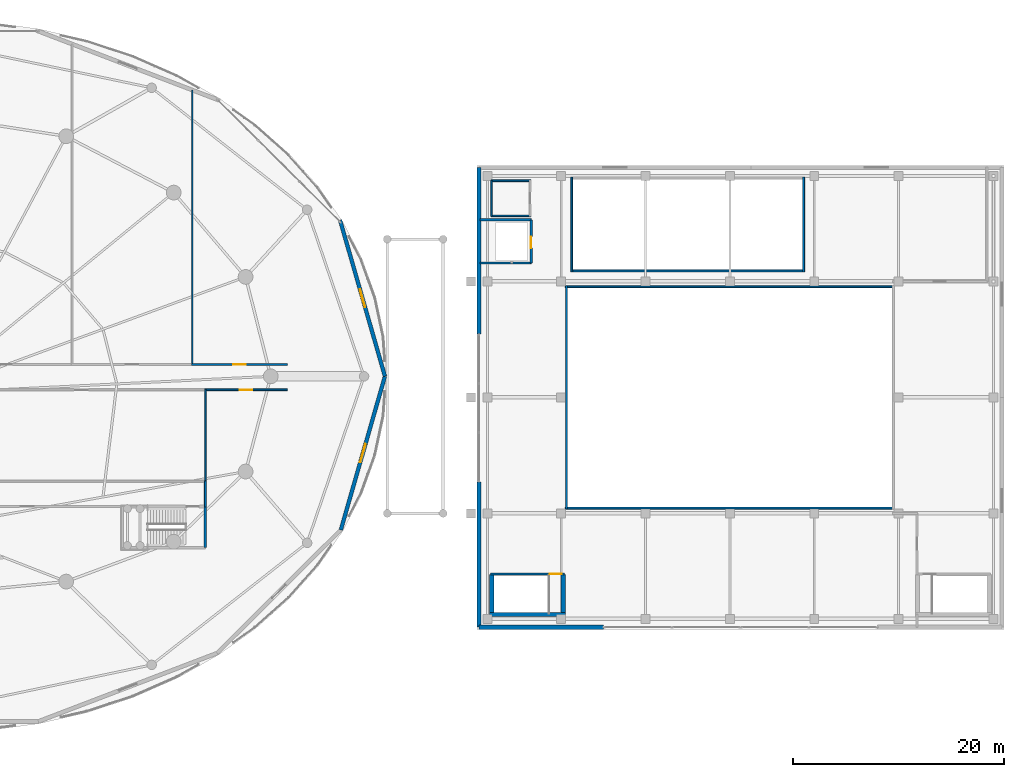
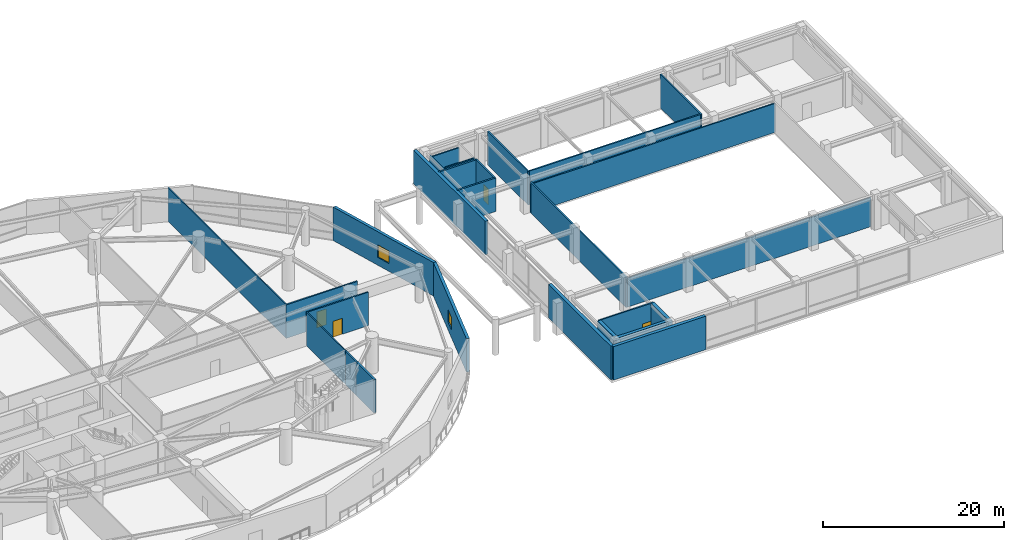
# One storey, part 30 of 36: 27 walls, 4 doors, 2 windows, 6 openings.
"""IFC4 building model written with IfcOpenShell, lengths in metres."""

from ifc_helpers import new_model, si_unit, direction, frame, frame_2d, origin, place, context, subcontext, project, spatial, rectangle, extrude, material, layer, layer_set, type_object, element, fill, save


model = new_model("IFC4")

# Units and contexts
model_context = context("Model", 3, precision=1e-05, world=origin(), true_north=direction((0.0, 1.0)))
body_context = subcontext(model_context, "Body", "Model", "MODEL_VIEW")
ifc_project = project(units=[si_unit("LENGTHUNIT", "METRE"), si_unit("AREAUNIT", "SQUARE_METRE"), si_unit("VOLUMEUNIT", "CUBIC_METRE"), si_unit("PLANEANGLEUNIT", "RADIAN"), si_unit("MASSUNIT", "GRAM", prefix="KILO")], contexts=[model_context])

# Site, building, storey
site_placement = place(None, origin())
site = spatial("IfcSite", under=ifc_project, at=site_placement, CompositionType="ELEMENT")
building_placement = place(site_placement, origin())
building = spatial("IfcBuilding", under=site, at=building_placement, Name="Kazevale Care Tower and Concert Hall", CompositionType="ELEMENT")
storey_placement = place(building_placement, frame((0.0, 0.0, 14.39990234375)))
storey = spatial("IfcBuildingStorey", under=building, at=storey_placement, Name="L03", CompositionType="ELEMENT", Elevation=14.39990234375)

# Walls
ifc_material_1 = material(Name="Acoustic Gypsum on Steel Stud", Category="steel")
ifc_layer_1 = layer(ifc_material_1, 0.139892578125)
ifc_layer_set_1 = layer_set([ifc_layer_1], Name="Acoustic Gypsum on Steel Stud")
wall_type_1 = type_object("IfcWallType", Name="Acoustic Care & Suite Partition 140", PredefinedType="PARTITIONING", material=ifc_layer_set_1)
wall_1_placement = place(storey_placement, frame((69.0, 65.14697265625, 0.0), z_axis=(0.0, 0.0, 1.0), x_axis=(0.0, -1.0, 0.0)))
element("IfcWall", 1, at=wall_1_placement, inside=storey, type_object=wall_type_1, Name="wall:L03:auto_021", PredefinedType="PARTITIONING", context=body_context, shape_type="SweptSolid", body=[
    extrude(rectangle(XDim=26.052001953125, YDim=0.139892578125, at=frame_2d((13.02587890625, 0.0))), origin(), (0.0, 0.0, 1.0), 4.52001953125),
])
wall_2_placement = place(storey_placement, frame((70.25, 36.7548828125, 0.0), z_axis=(0.0, 0.0, 1.0), x_axis=(0.0, -1.0, 0.0)))
element("IfcWall", 2, at=wall_2_placement, inside=storey, type_object=wall_type_1, Name="wall:L03:auto_023", PredefinedType="PARTITIONING", context=body_context, shape_type="SweptSolid", body=[
    extrude(rectangle(XDim=8.73486328125, YDim=0.139892578125, at=frame_2d((4.367431640625, 0.0))), origin(), (0.0, 0.0, 1.0), 4.52001953125),
])
ifc_material_2 = material(Name="Concrete C40 with Honed Limestone Cladding", Category="masonry")
ifc_layer_2 = layer(ifc_material_2, 0.39990234375)
ifc_layer_set_2 = layer_set([ifc_layer_2], Name="Concrete C40 with Honed Limestone Cladding")
wall_type_2 = type_object("IfcWallType", Name="Concert Hall Acoustic Limestone Wall 400", PredefinedType="STANDARD", material=ifc_layer_set_2)
wall_3_placement = place(storey_placement, frame((96.199951171875, 14.199951171875, 0.0), z_axis=(0.0, 0.0, 1.0), x_axis=(1.0, 0.0, 0.0)))
element("IfcWall", 3, at=wall_3_placement, inside=storey, type_object=wall_type_2, Name="wall:L03:hallew:S1", PredefinedType="STANDARD", context=body_context, shape_type="SweptSolid", body=[
    extrude(rectangle(XDim=11.800048828125, YDim=0.39990234375, at=frame_2d((5.89990234375, 0.0))), origin(), (0.0, 0.0, 1.0), 4.52001953125),
])
wall_4_placement = place(storey_placement, frame((96.199951171875, 57.800048828125, 0.0), z_axis=(0.0, 0.0, 1.0), x_axis=(0.0, -1.0, 0.0)))
element("IfcWall", 4, at=wall_4_placement, inside=storey, type_object=wall_type_2, Name="wall:L03:hallew:W1", PredefinedType="STANDARD", context=body_context, shape_type="SweptSolid", body=[
    extrude(rectangle(XDim=15.800048828125, YDim=0.39990234375, at=frame_2d((7.89990234375, 0.0))), origin(), (0.0, 0.0, 1.0), 4.52001953125),
])
wall_5_placement = place(storey_placement, frame((96.199951171875, 28.0, 0.0), z_axis=(0.0, 0.0, 1.0), x_axis=(0.0, -1.0, 0.0)))
element("IfcWall", 5, at=wall_5_placement, inside=storey, type_object=wall_type_2, Name="wall:L03:hallew:W3", PredefinedType="STANDARD", context=body_context, shape_type="SweptSolid", body=[
    extrude(rectangle(XDim=13.800048828125, YDim=0.39990234375, at=frame_2d((6.89990234375, 0.0))), origin(), (0.0, 0.0, 1.0), 4.52001953125),
])
ifc_material_3 = material(Name="Concrete C50", Category="concrete")
ifc_layer_3 = layer(ifc_material_3, 0.39990234375)
ifc_layer_set_3 = layer_set([ifc_layer_3], Name="Concrete C50")
wall_type_3 = type_object("IfcWallType", Name="Concert Hall Shear Core Wall 400 C50", PredefinedType="SHEAR", material=ifc_layer_set_3)
wall_6_placement = place(storey_placement, frame((97.199951171875, 15.39990234375, 0.0), z_axis=(0.0, 0.0, 1.0), x_axis=(1.0, 0.0, 0.0)))
element("IfcWall", 6, at=wall_6_placement, inside=storey, type_object=wall_type_3, Name="wall:L03:ST4:S", PredefinedType="SHEAR", context=body_context, shape_type="SweptSolid", body=[
    extrude(rectangle(XDim=7.199951171875, YDim=0.39990234375, at=frame_2d((3.60009765625, 0.0))), origin(), (0.0, 0.0, 1.0), 4.52001953125),
])
for number, where, z_axis, x_axis, name in (
    (7, (97.39990234375, 15.60009765625, 0.0), (0.0, 0.0, 1.0), (0.0, 1.0, 0.0), "wall:L03:ST4:W"),
    (8, (104.199951171875, 15.60009765625, 0.0), (0.0, 0.0, 1.0), (0.0, 1.0, 0.0), "wall:L03:ST4:E"),
):
    element("IfcWall", number, at=place(storey_placement, frame(where, z_axis=z_axis, x_axis=x_axis)), inside=storey, type_object=wall_type_3, Name=name, PredefinedType="SHEAR", context=body_context, shape_type="SweptSolid", body=[
        extrude(rectangle(XDim=3.599853515625, YDim=0.39990234375, at=frame_2d((1.7998046875, 0.0))), origin(), (0.0, 0.0, 1.0), 4.52001953125),
    ])
ifc_material_4 = material(Name="Concrete C40", Category="concrete")
ifc_layer_4 = layer(ifc_material_4, 0.219970703125)
ifc_layer_set_4 = layer_set([ifc_layer_4], Name="Concrete C40")
wall_type_4 = type_object("IfcWallType", Name="Elevator Hoistway Shaft Wall 220", PredefinedType="SOLIDWALL", material=ifc_layer_set_4)
for number, where, z_axis, x_axis, name in (
    (9, (96.300048828125, 52.85009765625, 0.0), (0.0, 0.0, 1.0), (1.0, 0.0, 0.0), "wall:L03:hall_chl_n"),
    (10, (96.300048828125, 48.75, 0.0), (0.0, 0.0, 1.0), (1.0, 0.0, 0.0), "wall:L03:hall_chl_s"),
):
    element("IfcWall", number, at=place(storey_placement, frame(where, z_axis=z_axis, x_axis=x_axis)), inside=storey, type_object=wall_type_4, Name=name, PredefinedType="SOLIDWALL", context=body_context, shape_type="SweptSolid", body=[
        extrude(rectangle(XDim=4.89990234375, YDim=0.219970703125, at=frame_2d((2.449951171875, 0.0))), origin(), (0.0, 0.0, 1.0), 4.52001953125),
    ])

# Wall, opening, door
wall_7_placement = place(storey_placement, frame((101.14990234375, 48.75, 0.0), z_axis=(0.0, 0.0, 1.0), x_axis=(0.0, 1.0, 0.0)))
wall_7 = element("IfcWall", 11, at=wall_7_placement, inside=storey, type_object=wall_type_4, Name="wall:L03:hall_chl_e", PredefinedType="SOLIDWALL", context=body_context, shape_type="SweptSolid", body=[
    extrude(rectangle(XDim=4.10009765625, YDim=0.219970703125, at=frame_2d((2.050048828125, 0.0))), origin(), (0.0, 0.0, 1.0), 4.52001953125),
])
opening_1_placement = place(wall_7_placement, frame((1.39990234375, 0.0, 0.0)))
opening_1 = element("IfcOpeningElement", 12, at=opening_1_placement, cuts=wall_7, Name="Opening LD-PAX", PredefinedType="OPENING", context=body_context, shape_type="SweptSolid", body=[
    extrude(rectangle(XDim=1.10009765625, YDim=2.10009765625, at=frame_2d((0.550048828125, 1.050048828125))), frame((0.0, 0.119873046875, 0.0), z_axis=(0.0, -1.0, 0.0), x_axis=(1.0, 0.0, 0.0)), (0.0, 0.0, 1.0), 0.239990234375),
])
ifc_material_5 = material(Name="Stainless Steel 316", Category="steel")
door_type_1 = type_object("IfcDoorType", Name="Passenger Lift Sliding Landing Door 1100x2100", OperationType="NOTDEFINED", PredefinedType="DOOR", material=ifc_material_5)
door_1_placement = place(opening_1_placement, origin())
door_1 = element("IfcDoor", 13, at=door_1_placement, inside=storey, type_object=door_type_1, Name="door:L03:ld_chl1", OperationType="SLIDING_TO_LEFT", OverallHeight=2.10009765625, OverallWidth=1.10009765625, PredefinedType="DOOR", context=body_context, shape_type="SweptSolid", body=[
    extrude(rectangle(XDim=1.10009765625, YDim=2.10009765625, at=frame_2d((0.550048828125, 1.050048828125))), frame((0.0, 0.02490234375, 0.0), z_axis=(0.0, -1.0, 0.0), x_axis=(1.0, 0.0, 0.0)), (0.0, 0.0, 1.0), 0.050048828125),
])
fill(opening_1, door_1)

ifc_material_6 = material(Name="Concrete C40 and Acoustic Gypsum", Category="concrete")
ifc_layer_5 = layer(ifc_material_6, 0.179931640625)
ifc_layer_set_5 = layer_set([ifc_layer_5], Name="Concrete C40 and Acoustic Gypsum")
wall_type_5 = type_object("IfcWallType", Name="Fire-Rated Corridor & Party Wall 180", PredefinedType="PARTITIONING", material=ifc_layer_set_5)
wall_8_placement = place(storey_placement, frame((68.93505859375, 39.125, 0.0), z_axis=(0.0, 0.0, 1.0), x_axis=(1.0, 0.0, 0.0)))
wall_8 = element("IfcWall", 14, at=wall_8_placement, inside=storey, type_object=wall_type_5, Name="wall:L03:auto_006", PredefinedType="PARTITIONING", context=body_context, shape_type="SweptSolid", body=[
    extrude(rectangle(XDim=9.094970703125, YDim=0.179931640625, at=frame_2d((4.54736328125, 0.0))), origin(), (0.0, 0.0, 1.0), 4.52001953125),
])
opening_2_placement = place(wall_8_placement, frame((3.947998046875, 0.0, 0.0)))
opening_2 = element("IfcOpeningElement", 15, at=opening_2_placement, cuts=wall_8, Name="Opening ID-1200", PredefinedType="OPENING", context=body_context, shape_type="SweptSolid", body=[
    extrude(rectangle(XDim=1.199951171875, YDim=2.14990234375, at=frame_2d((0.60009765625, 1.074951171875))), frame((0.0, 0.099853515625, 0.0), z_axis=(0.0, -1.0, 0.0), x_axis=(1.0, 0.0, 0.0)), (0.0, 0.0, 1.0), 0.199951171875),
])
ifc_material_7 = material(Name="Oak Timber Fire Leaf", Category="wood")
door_type_2 = type_object("IfcDoorType", Name="Clinical & Therapy Door 1200x2150", OperationType="NOTDEFINED", PredefinedType="DOOR", material=ifc_material_7)
door_2_placement = place(opening_2_placement, origin())
door_2 = element("IfcDoor", 16, at=door_2_placement, inside=storey, type_object=door_type_2, Name="door:L03:ad_006", OperationType="SINGLE_SWING_LEFT", OverallHeight=2.14990234375, OverallWidth=1.199951171875, PredefinedType="DOOR", context=body_context, shape_type="SweptSolid", body=[
    extrude(rectangle(XDim=1.199951171875, YDim=2.14990234375, at=frame_2d((0.60009765625, 1.074951171875))), frame((0.0, 0.02490234375, 0.0), z_axis=(0.0, -1.0, 0.0), x_axis=(1.0, 0.0, 0.0)), (0.0, 0.0, 1.0), 0.050048828125),
])
fill(opening_2, door_2)

wall_9_placement = place(storey_placement, frame((78.030029296875, 36.72509765625, 0.0), z_axis=(0.0, 0.0, 1.0), x_axis=(-1.0, 0.0, 0.0)))
wall_9 = element("IfcWall", 17, at=wall_9_placement, inside=storey, type_object=wall_type_5, Name="wall:L03:auto_011", PredefinedType="PARTITIONING", context=body_context, shape_type="SweptSolid", body=[
    extrude(rectangle(XDim=7.844970703125, YDim=0.179931640625, at=frame_2d((3.92236328125, 0.0))), origin(), (0.0, 0.0, 1.0), 4.52001953125),
])
opening_3_placement = place(wall_9_placement, frame((3.322021484375, 0.0, 0.0)))
opening_3 = element("IfcOpeningElement", 18, at=opening_3_placement, cuts=wall_9, Name="Opening ID-1200", PredefinedType="OPENING", context=body_context, shape_type="SweptSolid", body=[
    extrude(rectangle(XDim=1.199951171875, YDim=2.14990234375, at=frame_2d((0.60009765625, 1.074951171875))), frame((0.0, 0.099853515625, 0.0), z_axis=(0.0, -1.0, 0.0), x_axis=(1.0, 0.0, 0.0)), (0.0, 0.0, 1.0), 0.199951171875),
])
door_3_placement = place(opening_3_placement, origin())
door_3 = element("IfcDoor", 19, at=door_3_placement, inside=storey, type_object=door_type_2, Name="door:L03:ad_011", OperationType="SINGLE_SWING_LEFT", OverallHeight=2.14990234375, OverallWidth=1.199951171875, PredefinedType="DOOR", context=body_context, shape_type="SweptSolid", body=[
    extrude(rectangle(XDim=1.199951171875, YDim=2.14990234375, at=frame_2d((0.60009765625, 1.074951171875))), frame((0.0, 0.02490234375, 0.0), z_axis=(0.0, -1.0, 0.0), x_axis=(1.0, 0.0, 0.0)), (0.0, 0.0, 1.0), 0.050048828125),
])
fill(opening_3, door_3)

# Wall
wall_10_placement = place(storey_placement, frame((70.25, 28.080078125, 0.0), z_axis=(0.0, 0.0, 1.0), x_axis=(0.0, -1.0, 0.0)))
element("IfcWall", 20, at=wall_10_placement, inside=storey, type_object=wall_type_5, Name="wall:L03:auto_012", PredefinedType="PARTITIONING", context=body_context, shape_type="SweptSolid", body=[
    extrude(rectangle(XDim=2.4599609375, YDim=0.179931640625, at=frame_2d((1.22998046875, 0.0))), origin(), (0.0, 0.0, 1.0), 4.52001953125),
])

# Wall, opening, door
wall_11_placement = place(storey_placement, frame((97.300048828125, 19.25, 0.0), z_axis=(0.0, 0.0, 1.0), x_axis=(1.0, 0.0, 0.0)))
wall_11 = element("IfcWall", 21, at=wall_11_placement, inside=storey, type_object=wall_type_5, Name="wall:L03:hall_st4_n", PredefinedType="PARTITIONING", context=body_context, shape_type="SweptSolid", body=[
    extrude(rectangle(XDim=7.0, YDim=0.179931640625, at=frame_2d((3.5, 0.0))), origin(), (0.0, 0.0, 1.0), 4.52001953125),
])
opening_4_placement = place(wall_11_placement, frame((5.610107421875, 0.0, 0.0)))
opening_4 = element("IfcOpeningElement", 22, at=opening_4_placement, cuts=wall_11, Name="Opening FD-90", PredefinedType="OPENING", context=body_context, shape_type="SweptSolid", body=[
    extrude(rectangle(XDim=1.14990234375, YDim=2.10009765625, at=frame_2d((0.574951171875, 1.050048828125))), frame((0.0, 0.099853515625, 0.0), z_axis=(0.0, -1.0, 0.0), x_axis=(1.0, 0.0, 0.0)), (0.0, 0.0, 1.0), 0.199951171875),
])
ifc_material_8 = material(Name="Steel ASTM A572 Gr 50", Category="steel")
door_type_3 = type_object("IfcDoorType", Name="Pressurized Stair & Lobby Fire Door 1150x2100", OperationType="NOTDEFINED", PredefinedType="DOOR", material=ifc_material_8)
door_4_placement = place(opening_4_placement, origin())
door_4 = element("IfcDoor", 23, at=door_4_placement, inside=storey, type_object=door_type_3, Name="door:L03:hst4", OperationType="SINGLE_SWING_RIGHT", OverallHeight=2.10009765625, OverallWidth=1.14990234375, PredefinedType="DOOR", context=body_context, shape_type="SweptSolid", body=[
    extrude(rectangle(XDim=1.14990234375, YDim=2.10009765625, at=frame_2d((0.574951171875, 1.050048828125))), frame((0.0, 0.02490234375, 0.0), z_axis=(0.0, -1.0, 0.0), x_axis=(1.0, 0.0, 0.0)), (0.0, 0.0, 1.0), 0.050048828125),
])
fill(opening_4, door_4)

# Walls
for number, where, z_axis, x_axis, name in (
    (24, (104.39990234375, 25.5, 0.0), (0.0, 0.0, 1.0), (1.0, 0.0, 0.0), "wall:L03:hvoid_s"),
    (25, (104.39990234375, 46.5, 0.0), (0.0, 0.0, 1.0), (1.0, 0.0, 0.0), "wall:L03:hvoid_n"),
):
    element("IfcWall", number, at=place(storey_placement, frame(where, z_axis=z_axis, x_axis=x_axis)), inside=storey, type_object=wall_type_5, Name=name, PredefinedType="PARTITIONING", context=body_context, shape_type="SweptSolid", body=[
        extrude(rectangle(XDim=31.2001953125, YDim=0.179931640625, at=frame_2d((15.60009765625, 0.0))), origin(), (0.0, 0.0, 1.0), 3.899169921875),
    ])
wall_12_placement = place(storey_placement, frame((104.5, 25.39990234375, 0.0), z_axis=(0.0, 0.0, 1.0), x_axis=(0.0, 1.0, 0.0)))
element("IfcWall", 26, at=wall_12_placement, inside=storey, type_object=wall_type_5, Name="wall:L03:hvoid_w", PredefinedType="PARTITIONING", context=body_context, shape_type="SweptSolid", body=[
    extrude(rectangle(XDim=21.2001953125, YDim=0.179931640625, at=frame_2d((10.60009765625, 0.0))), origin(), (0.0, 0.0, 1.0), 4.093017578125),
])
wall_13_placement = place(storey_placement, frame((104.89990234375, 48.0, 0.0), z_axis=(0.0, 0.0, 1.0), x_axis=(1.0, 0.0, 0.0)))
element("IfcWall", 27, at=wall_13_placement, inside=storey, type_object=wall_type_5, Name="wall:L03:cvoid_s", PredefinedType="PARTITIONING", context=body_context, shape_type="SweptSolid", body=[
    extrude(rectangle(XDim=22.2001953125, YDim=0.179931640625, at=frame_2d((11.10009765625, 0.0))), origin(), (0.0, 0.0, 1.0), 4.52001953125),
])
for number, where, z_axis, x_axis, name in (
    (28, (105.0, 47.89990234375, 0.0), (0.0, 0.0, 1.0), (0.0, 1.0, 0.0), "wall:L03:cvoid_w"),
    (29, (127.0, 47.89990234375, 0.0), (0.0, 0.0, 1.0), (0.0, 1.0, 0.0), "wall:L03:cvoid_e"),
):
    element("IfcWall", number, at=place(storey_placement, frame(where, z_axis=z_axis, x_axis=x_axis)), inside=storey, type_object=wall_type_5, Name=name, PredefinedType="PARTITIONING", context=body_context, shape_type="SweptSolid", body=[
        extrude(rectangle(XDim=9.0, YDim=0.179931640625, at=frame_2d((4.5, 0.0))), origin(), (0.0, 0.0, 1.0), 4.52001953125),
    ])
ifc_layer_6 = layer(ifc_material_1, 0.159912109375)
ifc_layer_set_6 = layer_set([ifc_layer_6], Name="Acoustic Gypsum on Steel Stud")
wall_type_6 = type_object("IfcWallType", Name="Moisture-Resistant Bathroom Plumbing Wall 160", PredefinedType="PLUMBINGWALL", material=ifc_layer_set_6)
wall_14_placement = place(storey_placement, frame((97.360107421875, 53.219970703125, 0.0), z_axis=(0.0, 0.0, 1.0), x_axis=(1.0, 0.0, 0.0)))
element("IfcWall", 30, at=wall_14_placement, inside=storey, type_object=wall_type_6, Name="wall:L03:hall_wc_ws", PredefinedType="PLUMBINGWALL", context=body_context, shape_type="SweptSolid", body=[
    extrude(rectangle(XDim=3.72998046875, YDim=0.159912109375, at=frame_2d((1.864990234375, 0.0))), origin(), (0.0, 0.0, 1.0), 4.52001953125),
])
wall_15_placement = place(storey_placement, frame((97.360107421875, 56.550048828125, 0.0), z_axis=(0.0, 0.0, 1.0), x_axis=(1.0, 0.0, 0.0)))
element("IfcWall", 31, at=wall_15_placement, inside=storey, type_object=wall_type_6, Name="wall:L03:hall_wc_wn", PredefinedType="PLUMBINGWALL", context=body_context, shape_type="SweptSolid", body=[
    extrude(rectangle(XDim=3.72998046875, YDim=0.159912109375, at=frame_2d((1.864990234375, 0.0))), origin(), (0.0, 0.0, 1.0), 3.899169921875),
])
wall_16_placement = place(storey_placement, frame((97.39990234375, 53.179931640625, 0.0), z_axis=(0.0, 0.0, 1.0), x_axis=(0.0, 1.0, 0.0)))
element("IfcWall", 32, at=wall_16_placement, inside=storey, type_object=wall_type_6, Name="wall:L03:hall_wc_ww", PredefinedType="PLUMBINGWALL", context=body_context, shape_type="SweptSolid", body=[
    extrude(rectangle(XDim=3.41015625, YDim=0.159912109375, at=frame_2d((1.705078125, 0.0))), origin(), (0.0, 0.0, 1.0), 4.093017578125),
])

# Wall, opening, window
ifc_layer_7 = layer(ifc_material_2, 0.360107421875)
ifc_layer_set_7 = layer_set([ifc_layer_7], Name="Concrete C40 with Honed Limestone Cladding")
wall_type_7 = type_object("IfcWallType", Name="Podium Insulated Limestone Wall 360", PredefinedType="STANDARD", material=ifc_layer_set_7)
wall_17_placement = place(storey_placement, frame((87.280029296875, 38.0, 0.0), z_axis=(0.0, 0.0, 1.0), x_axis=(-0.276203409751, 0.961099202186, 0.0)))
wall_17 = element("IfcWall", 33, at=wall_17_placement, inside=storey, type_object=wall_type_7, Name="wall:L03:podew:01", PredefinedType="STANDARD", context=body_context, shape_type="SweptSolid", body=[
    extrude(rectangle(XDim=15.419921875, YDim=0.360107421875, at=frame_2d((7.7099609375, 0.0))), origin(), (0.0, 0.0, 1.0), 4.52001953125),
])
opening_5_placement = place(wall_17_placement, frame((6.81005859375, 0.0, 1.050048828125)))
opening_5 = element("IfcOpeningElement", 34, at=opening_5_placement, cuts=wall_17, Name="Opening WIN-2", PredefinedType="OPENING", context=body_context, shape_type="SweptSolid", body=[
    extrude(rectangle(XDim=1.800048828125, YDim=1.699951171875, at=frame_2d((0.89990234375, 0.85009765625))), frame((0.0, 0.18994140625, 0.0), z_axis=(0.0, -1.0, 0.0), x_axis=(1.0, 0.0, 0.0)), (0.0, 0.0, 1.0), 0.380126953125),
])
ifc_material_9 = material(Name="Low-E Laminated Glass", Category="glass")
window_type = type_object("IfcWindowType", Name="Clinical Punched Window 1800x1700", PartitioningType="DOUBLE_PANEL_VERTICAL", PredefinedType="WINDOW", material=ifc_material_9)
window_1_placement = place(opening_5_placement, origin())
window_1 = element("IfcWindow", 35, at=window_1_placement, inside=storey, type_object=window_type, Name="win:L03:pod:01", OverallHeight=1.699951171875, OverallWidth=1.800048828125, PartitioningType="SINGLE_PANEL", PredefinedType="WINDOW", context=body_context, shape_type="SweptSolid", body=[
    extrude(rectangle(XDim=1.800048828125, YDim=1.699951171875, at=frame_2d((0.89990234375, 0.85009765625))), frame((0.0, 0.030029296875, 0.0), z_axis=(0.0, -1.0, 0.0), x_axis=(1.0, 0.0, 0.0)), (0.0, 0.0, 1.0), 0.06005859375),
])
fill(opening_5, window_1)

wall_18_placement = place(storey_placement, frame((83.093017578125, 23.429931640625, 0.0), z_axis=(0.0, 0.0, 1.0), x_axis=(0.276192699339, 0.961102280109, 0.0)))
wall_18 = element("IfcWall", 36, at=wall_18_placement, inside=storey, type_object=wall_type_7, Name="wall:L03:podew:14", PredefinedType="STANDARD", context=body_context, shape_type="SweptSolid", body=[
    extrude(rectangle(XDim=15.15966796875, YDim=0.360107421875, at=frame_2d((7.579833984375, 0.0))), origin(), (0.0, 0.0, 1.0), 4.52001953125),
])
opening_6_placement = place(wall_18_placement, frame((6.679931640625, 0.0, 1.050048828125)))
opening_6 = element("IfcOpeningElement", 37, at=opening_6_placement, cuts=wall_18, Name="Opening WIN-2", PredefinedType="OPENING", context=body_context, shape_type="SweptSolid", body=[
    extrude(rectangle(XDim=1.800048828125, YDim=1.699951171875, at=frame_2d((0.89990234375, 0.85009765625))), frame((0.0, 0.18994140625, 0.0), z_axis=(0.0, -1.0, 0.0), x_axis=(1.0, 0.0, 0.0)), (0.0, 0.0, 1.0), 0.380126953125),
])
window_2_placement = place(opening_6_placement, origin())
window_2 = element("IfcWindow", 38, at=window_2_placement, inside=storey, type_object=window_type, Name="win:L03:pod:14", OverallHeight=1.699951171875, OverallWidth=1.800048828125, PartitioningType="SINGLE_PANEL", PredefinedType="WINDOW", context=body_context, shape_type="SweptSolid", body=[
    extrude(rectangle(XDim=1.800048828125, YDim=1.699951171875, at=frame_2d((0.89990234375, 0.85009765625))), frame((0.0, 0.030029296875, 0.0), z_axis=(0.0, -1.0, 0.0), x_axis=(1.0, 0.0, 0.0)), (0.0, 0.0, 1.0), 0.06005859375),
])
fill(opening_6, window_2)

# Wall
ifc_layer_8 = layer(ifc_material_4, 0.25)
ifc_layer_set_8 = layer_set([ifc_layer_8], Name="Concrete C40")
wall_type_8 = type_object("IfcWallType", Name="Pressurized Stair Shaft Wall 250", PredefinedType="SOLIDWALL", material=ifc_layer_set_8)
wall_19_placement = place(storey_placement, frame((70.25, 21.75, 0.0), z_axis=(0.0, 0.0, 1.0), x_axis=(0.0, 1.0, 0.0)))
element("IfcWall", 39, at=wall_19_placement, inside=storey, type_object=wall_type_8, Name="wall:L03:pod_st3_e", PredefinedType="SOLIDWALL", context=body_context, shape_type="SweptSolid", body=[
    extrude(rectangle(XDim=3.89990234375, YDim=0.25, at=frame_2d((1.949951171875, 0.0))), origin(), (0.0, 0.0, 1.0), 4.52001953125),
])

save(model, "model.ifc")
